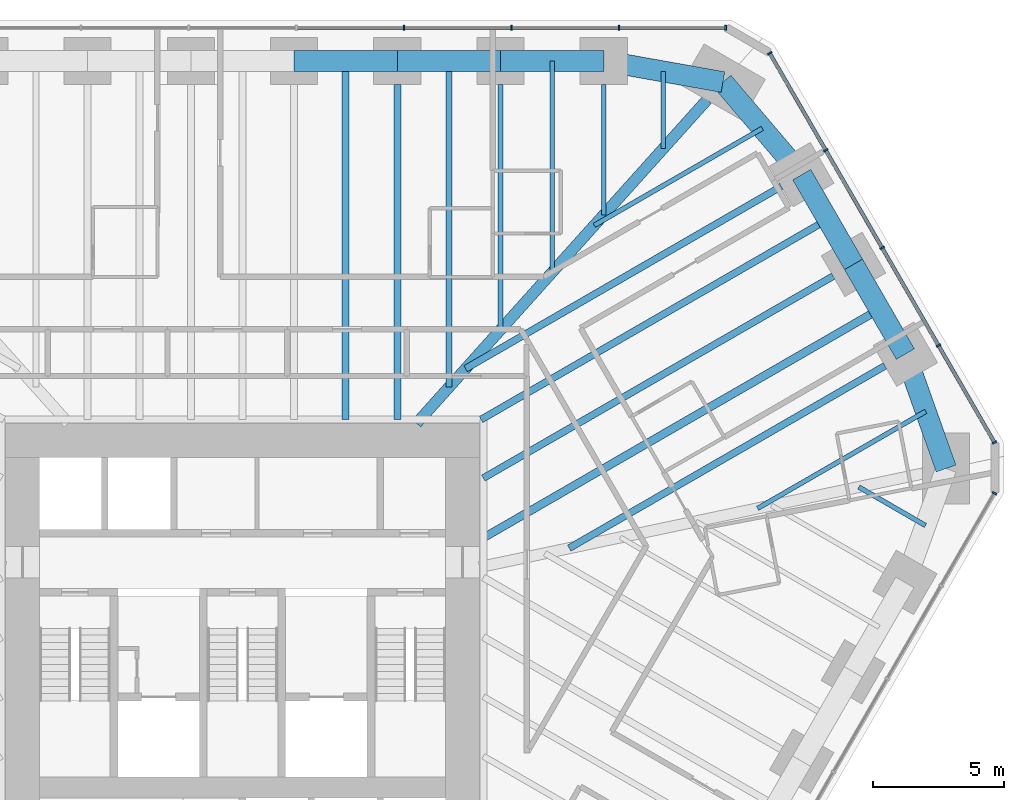
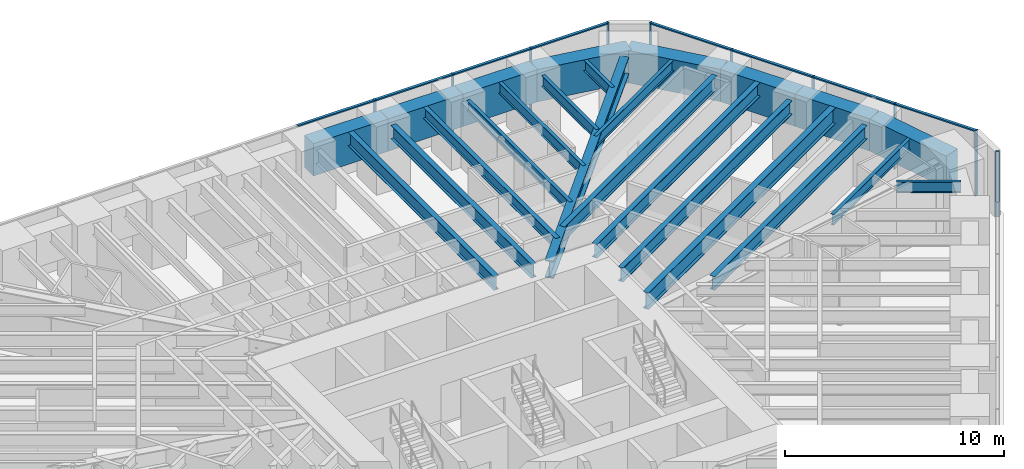
# One storey, part 9 of 17: 24 beams, 18 members, 3 elements without a shape of their own.
"""IFC4 building model written with IfcOpenShell, lengths in metres."""

from ifc_helpers import new_model, si_unit, direction, frame, origin, origin_2d, place, context, subcontext, project, spatial, rectangle, i_section, extrude, material, material_profile, profile_set, type_object, element, aggregate, save


model = new_model("IFC4")

# Units and contexts
model_context = context("Model", 3, precision=1e-05, world=origin(), true_north=direction((0.0, 1.0)))
body_context = subcontext(model_context, "Body", "Model", "MODEL_VIEW")
ifc_project = project(units=[si_unit("LENGTHUNIT", "METRE"), si_unit("AREAUNIT", "SQUARE_METRE"), si_unit("VOLUMEUNIT", "CUBIC_METRE"), si_unit("PLANEANGLEUNIT", "RADIAN"), si_unit("MASSUNIT", "GRAM", prefix="KILO")], contexts=[model_context])

# Site, building, storey
site_placement = place(None, origin())
site = spatial("IfcSite", under=ifc_project, at=site_placement, CompositionType="ELEMENT")
building_placement = place(site_placement, origin())
building = spatial("IfcBuilding", under=site, at=building_placement, Name="Sandreach Pilgrim Tower", CompositionType="ELEMENT")
storey_placement = place(building_placement, frame((0.0, 0.0, 138.60009765625)))
storey = spatial("IfcBuildingStorey", under=building, at=storey_placement, Name="L34", CompositionType="ELEMENT", Elevation=138.60009765625)

# Curtain wall, members
ifc_material_1 = material(Name="Aluminium framed curtain wall", Category="aluminium")
curtain_wall_type = type_object("IfcCurtainWallType", Name="Hotel tower curtain wall", PredefinedType="NOTDEFINED", material=ifc_material_1)
curtain_wall_1_placement = place(storey_placement, origin())
curtain_wall_1 = element("IfcCurtainWall", 1, at=curtain_wall_1_placement, inside=storey, type_object=curtain_wall_type, Name="CW-2 L34 N", PredefinedType="NOTDEFINED")
ifc_material_2 = material(Name="Aluminium extrusion", Category="aluminium")
ifc_material_profile_1 = material_profile(ifc_material_2, rectangle(XDim=0.06494140625, YDim=0.179931640625, at=origin_2d()), Name="CW-2M 65X180")
ifc_profile_set_1 = profile_set([ifc_material_profile_1], Name="Aluminium extrusion")
member_type_1 = type_object("IfcMemberType", Name="CW-2 mullion", PredefinedType="MULLION", material=ifc_profile_set_1)
member_1_placement = place(storey_placement, frame((6.160400390625, 22.493896484375, 0.0), z_axis=(0.0, 0.0, 1.0), x_axis=(1.0, 0.0, 0.0)))
member_1 = element("IfcMember", 2, at=member_1_placement, type_object=member_type_1, Name="CW-2 mullion 7", PredefinedType="MULLION", context=body_context, shape_type="SweptSolid", body=[
    extrude(rectangle(XDim=0.06494140625, YDim=0.179931640625, at=origin_2d()), origin(), (0.0, 0.0, 1.0), 3.639892578125),
])
member_2_placement = place(storey_placement, frame((10.267333984375, 22.493896484375, 0.0), z_axis=(0.0, 0.0, 1.0), x_axis=(1.0, 0.0, 0.0)))
member_2 = element("IfcMember", 3, at=member_2_placement, type_object=member_type_1, Name="CW-2 mullion 8", PredefinedType="MULLION", context=body_context, shape_type="SweptSolid", body=[
    extrude(rectangle(XDim=0.06494140625, YDim=0.179931640625, at=origin_2d()), origin(), (0.0, 0.0, 1.0), 3.639892578125),
])
member_3_placement = place(storey_placement, frame((14.37451171875, 22.493896484375, 0.0), z_axis=(0.0, 0.0, 1.0), x_axis=(1.0, 0.0, 0.0)))
member_3 = element("IfcMember", 4, at=member_3_placement, type_object=member_type_1, Name="CW-2 mullion 9", PredefinedType="MULLION", context=body_context, shape_type="SweptSolid", body=[
    extrude(rectangle(XDim=0.06494140625, YDim=0.179931640625, at=origin_2d()), origin(), (0.0, 0.0, 1.0), 3.639892578125),
])
member_4_placement = place(storey_placement, frame((18.448974609375, 22.493896484375, 0.0), z_axis=(0.0, 0.0, 1.0), x_axis=(1.0, 0.0, 0.0)))
member_4 = element("IfcMember", 5, at=member_4_placement, type_object=member_type_1, Name="CW-2 mullion 10", PredefinedType="MULLION", context=body_context, shape_type="SweptSolid", body=[
    extrude(rectangle(XDim=0.06494140625, YDim=0.179931640625, at=origin_2d()), origin(), (0.0, 0.0, 1.0), 3.639892578125),
])

curtain_wall_2_placement = place(storey_placement, origin())
curtain_wall_2 = element("IfcCurtainWall", 6, at=curtain_wall_2_placement, inside=storey, type_object=curtain_wall_type, Name="CW-2 L34 NE", PredefinedType="NOTDEFINED")
member_5_placement = place(storey_placement, frame((20.125732421875, 21.525634765625, 0.0), z_axis=(0.0, 0.0, 1.0), x_axis=(0.5, -0.866025403784, 0.0)))
member_5 = element("IfcMember", 7, at=member_5_placement, type_object=member_type_1, Name="CW-2 mullion 1", PredefinedType="MULLION", context=body_context, shape_type="SweptSolid", body=[
    extrude(rectangle(XDim=0.06494140625, YDim=0.179931640625, at=origin_2d()), origin(), (0.0, 0.0, 1.0), 3.639892578125),
])
member_6_placement = place(storey_placement, frame((22.262451171875, 17.824951171875, 0.0), z_axis=(0.0, 0.0, 1.0), x_axis=(0.5, -0.866025403784, 0.0)))
member_6 = element("IfcMember", 8, at=member_6_placement, type_object=member_type_1, Name="CW-2 mullion 2", PredefinedType="MULLION", context=body_context, shape_type="SweptSolid", body=[
    extrude(rectangle(XDim=0.06494140625, YDim=0.179931640625, at=origin_2d()), origin(), (0.0, 0.0, 1.0), 3.639892578125),
])
member_7_placement = place(storey_placement, frame((24.415283203125, 14.09619140625, 0.0), z_axis=(0.0, 0.0, 1.0), x_axis=(0.5, -0.866025403784, 0.0)))
member_7 = element("IfcMember", 9, at=member_7_placement, type_object=member_type_1, Name="CW-2 mullion 3", PredefinedType="MULLION", context=body_context, shape_type="SweptSolid", body=[
    extrude(rectangle(XDim=0.06494140625, YDim=0.179931640625, at=origin_2d()), origin(), (0.0, 0.0, 1.0), 3.639892578125),
])
member_8_placement = place(storey_placement, frame((26.568115234375, 10.3671875, 0.0), z_axis=(0.0, 0.0, 1.0), x_axis=(0.5, -0.866025403784, 0.0)))
member_8 = element("IfcMember", 10, at=member_8_placement, type_object=member_type_1, Name="CW-2 mullion 4", PredefinedType="MULLION", context=body_context, shape_type="SweptSolid", body=[
    extrude(rectangle(XDim=0.06494140625, YDim=0.179931640625, at=origin_2d()), origin(), (0.0, 0.0, 1.0), 3.639892578125),
])
member_9_placement = place(storey_placement, frame((28.70458984375, 6.66650390625, 0.0), z_axis=(0.0, 0.0, 1.0), x_axis=(0.5, -0.866025403784, 0.0)))
member_9 = element("IfcMember", 11, at=member_9_placement, type_object=member_type_1, Name="CW-2 mullion 5", PredefinedType="MULLION", context=body_context, shape_type="SweptSolid", body=[
    extrude(rectangle(XDim=0.06494140625, YDim=0.179931640625, at=origin_2d()), origin(), (0.0, 0.0, 1.0), 3.639892578125),
])

# Curtain wall, member
curtain_wall_3_placement = place(storey_placement, origin())
curtain_wall_3 = element("IfcCurtainWall", 12, at=curtain_wall_3_placement, inside=storey, type_object=curtain_wall_type, Name="CW-2 L34 SE", PredefinedType="NOTDEFINED")
member_10_placement = place(storey_placement, frame((28.70458984375, 4.730224609375, 0.0), z_axis=(0.0, 0.0, 1.0), x_axis=(-0.5, -0.866025403784, 0.0)))
member_10 = element("IfcMember", 13, at=member_10_placement, type_object=member_type_1, Name="CW-2 mullion 1", PredefinedType="MULLION", context=body_context, shape_type="SweptSolid", body=[
    extrude(rectangle(XDim=0.06494140625, YDim=0.179931640625, at=origin_2d()), origin(), (0.0, 0.0, 1.0), 3.639892578125),
])
aggregate(curtain_wall_3, [member_10])

# Member
ifc_material_3 = material(Name="Aluminium extrusion", Category="aluminium")
ifc_material_profile_2 = material_profile(ifc_material_3, rectangle(XDim=0.139892578125, YDim=0.070068359375, at=origin_2d()), Name="CW-2T 140X70")
ifc_profile_set_2 = profile_set([ifc_material_profile_2], Name="Aluminium extrusion")
member_type_2 = type_object("IfcMemberType", Name="CW-2 transom", PredefinedType="USERDEFINED", material=ifc_profile_set_2)
member_11_placement = place(storey_placement, frame((2.0859375, 22.493896484375, 3.60498046875), z_axis=(1.0, 0.0, 0.0), x_axis=(0.0, 1.0, 0.0)))
member_11 = element("IfcMember", 14, at=member_11_placement, type_object=member_type_2, Name="CW-2 head transom 6", ObjectType="TRANSOM", PredefinedType="USERDEFINED", context=body_context, shape_type="SweptSolid", body=[
    extrude(rectangle(XDim=0.139892578125, YDim=0.070068359375, at=origin_2d()), origin(), (0.0, 0.0, 1.0), 4.0419921875),
])

member_12_placement = place(storey_placement, frame((6.19287109375, 22.493896484375, 3.60498046875), z_axis=(1.0, 0.0, 0.0), x_axis=(0.0, 1.0, 0.0)))
member_12 = element("IfcMember", 15, at=member_12_placement, type_object=member_type_2, Name="CW-2 head transom 7", ObjectType="TRANSOM", PredefinedType="USERDEFINED", context=body_context, shape_type="SweptSolid", body=[
    extrude(rectangle(XDim=0.139892578125, YDim=0.070068359375, at=origin_2d()), origin(), (0.0, 0.0, 1.0), 4.0419921875),
])

member_13_placement = place(storey_placement, frame((10.300048828125, 22.493896484375, 3.60498046875), z_axis=(1.0, 0.0, 0.0), x_axis=(0.0, 1.0, 0.0)))
member_13 = element("IfcMember", 16, at=member_13_placement, type_object=member_type_2, Name="CW-2 head transom 8", ObjectType="TRANSOM", PredefinedType="USERDEFINED", context=body_context, shape_type="SweptSolid", body=[
    extrude(rectangle(XDim=0.139892578125, YDim=0.070068359375, at=origin_2d()), origin(), (0.0, 0.0, 1.0), 4.041748046875),
])

member_14_placement = place(storey_placement, frame((14.406982421875, 22.493896484375, 3.60498046875), z_axis=(1.0, 0.0, 0.0), x_axis=(0.0, 1.0, 0.0)))
member_14 = element("IfcMember", 17, at=member_14_placement, type_object=member_type_2, Name="CW-2 head transom 9", ObjectType="TRANSOM", PredefinedType="USERDEFINED", context=body_context, shape_type="SweptSolid", body=[
    extrude(rectangle(XDim=0.139892578125, YDim=0.070068359375, at=origin_2d()), origin(), (0.0, 0.0, 1.0), 4.00927734375),
])

aggregate(curtain_wall_1, [member_1, member_2, member_3, member_4, member_11, member_12, member_13, member_14])

member_15_placement = place(storey_placement, frame((20.14208984375, 21.49755859375, 3.60498046875), z_axis=(0.49997020258, -0.86604260665, 0.0), x_axis=(0.86604260665, 0.49997020258, 0.0)))
member_15 = element("IfcMember", 18, at=member_15_placement, type_object=member_type_2, Name="CW-2 head transom 1", ObjectType="TRANSOM", PredefinedType="USERDEFINED", context=body_context, shape_type="SweptSolid", body=[
    extrude(rectangle(XDim=0.139892578125, YDim=0.070068359375, at=origin_2d()), origin(), (0.0, 0.0, 1.0), 4.208251953125),
])

member_16_placement = place(storey_placement, frame((22.278564453125, 17.796875, 3.60498046875), z_axis=(0.499996541496, -0.866027400544, 0.0), x_axis=(0.866027400544, 0.499996541496, 0.0)))
member_16 = element("IfcMember", 19, at=member_16_placement, type_object=member_type_2, Name="CW-2 head transom 2", ObjectType="TRANSOM", PredefinedType="USERDEFINED", context=body_context, shape_type="SweptSolid", body=[
    extrude(rectangle(XDim=0.139892578125, YDim=0.070068359375, at=origin_2d()), origin(), (0.0, 0.0, 1.0), 4.24072265625),
])

member_17_placement = place(storey_placement, frame((24.431396484375, 14.06787109375, 3.60498046875), z_axis=(0.500021471012, -0.866013007135, 0.0), x_axis=(0.866013007135, 0.500021471012, 0.0)))
member_17 = element("IfcMember", 20, at=member_17_placement, type_object=member_type_2, Name="CW-2 head transom 3", ObjectType="TRANSOM", PredefinedType="USERDEFINED", context=body_context, shape_type="SweptSolid", body=[
    extrude(rectangle(XDim=0.139892578125, YDim=0.070068359375, at=origin_2d()), origin(), (0.0, 0.0, 1.0), 4.240478515625),
])

member_18_placement = place(storey_placement, frame((26.584228515625, 10.339111328125, 3.60498046875), z_axis=(0.500038835258, -0.866002981077, 0.0), x_axis=(0.866002981077, 0.500038835258, 0.0)))
member_18 = element("IfcMember", 21, at=member_18_placement, type_object=member_type_2, Name="CW-2 head transom 4", ObjectType="TRANSOM", PredefinedType="USERDEFINED", context=body_context, shape_type="SweptSolid", body=[
    extrude(rectangle(XDim=0.139892578125, YDim=0.070068359375, at=origin_2d()), origin(), (0.0, 0.0, 1.0), 4.208251953125),
])

aggregate(curtain_wall_2, [member_5, member_6, member_7, member_8, member_9, member_15, member_16, member_17, member_18])

# Beams
ifc_material_4 = material(Name="Steel ASTM A992 Grade 50", Category="steel")
ifc_material_profile_3 = material_profile(ifc_material_4, i_section(OverallWidth=0.424072265625, OverallDepth=0.965087890625, WebThickness=0.028564453125, FlangeThickness=0.051025390625, at=origin_2d()), Name="W36X361")
ifc_profile_set_3 = profile_set([ifc_material_profile_3], Name="Steel ASTM A992 Grade 50")
beam_type_1 = type_object("IfcBeamType", Name="Corner girder W36X361", PredefinedType="BEAM", material=ifc_profile_set_3)
beam_1_placement = place(storey_placement, frame((17.738037109375, 19.754150390625, 3.1572265625), z_axis=(-0.66811374471, -0.74405915365, 0.0), x_axis=(0.74405915365, -0.66811374471, 0.0)))
element("IfcBeam", 22, at=beam_1_placement, inside=storey, type_object=beam_type_1, Name="BM L34 CG09", PredefinedType="BEAM", context=body_context, shape_type="SweptSolid", body=[
    extrude(i_section(OverallWidth=0.424072265625, OverallDepth=0.965087890625, WebThickness=0.028564453125, FlangeThickness=0.051025390625, at=origin_2d()), origin(), (0.0, 0.0, 1.0), 16.603759765625),
])
ifc_material_5 = material(Name="Steel ASTM A992 Grade 50", Category="steel")
ifc_material_profile_4 = material_profile(ifc_material_5, i_section(OverallWidth=0.1787109375, OverallDepth=0.60205078125, WebThickness=0.010986328125, FlangeThickness=0.014892578125, at=origin_2d()), Name="W24X62")
ifc_profile_set_4 = profile_set([ifc_material_profile_4], Name="Steel ASTM A992 Grade 50")
beam_type_2 = type_object("IfcBeamType", Name="Floor beam W24X62", PredefinedType="BEAM", material=ifc_profile_set_4)
beam_2_placement = place(storey_placement, frame((9.849853515625, 20.333740234375, 3.3388671875), z_axis=(0.0, -1.0, 0.0), x_axis=(1.0, 0.0, 0.0)))
element("IfcBeam", 23, at=beam_2_placement, inside=storey, type_object=beam_type_2, Name="BM L34 F07", PredefinedType="BEAM", context=body_context, shape_type="SweptSolid", body=[
    extrude(i_section(OverallWidth=0.1787109375, OverallDepth=0.60205078125, WebThickness=0.010986328125, FlangeThickness=0.014892578125, at=origin_2d()), origin(), (0.0, 0.0, 1.0), 9.3642578125),
])
beam_3_placement = place(storey_placement, frame((13.789794921875, 20.333740234375, 3.3388671875), z_axis=(0.0, -1.0, 0.0), x_axis=(1.0, 0.0, 0.0)))
element("IfcBeam", 24, at=beam_3_placement, inside=storey, type_object=beam_type_2, Name="BM L34 F08", PredefinedType="BEAM", context=body_context, shape_type="SweptSolid", body=[
    extrude(i_section(OverallWidth=0.1787109375, OverallDepth=0.60205078125, WebThickness=0.010986328125, FlangeThickness=0.014892578125, at=origin_2d()), origin(), (0.0, 0.0, 1.0), 4.9765625),
])
beam_4_placement = place(storey_placement, frame((11.81982421875, 21.23388671875, 3.3388671875), z_axis=(0.0, -1.0, 0.0), x_axis=(1.0, 0.0, 0.0)))
element("IfcBeam", 25, at=beam_4_placement, inside=storey, type_object=beam_type_2, Name="BM L34 FM07", PredefinedType="BEAM", context=body_context, shape_type="SweptSolid", body=[
    extrude(i_section(OverallWidth=0.1787109375, OverallDepth=0.60205078125, WebThickness=0.010986328125, FlangeThickness=0.014892578125, at=origin_2d()), origin(), (0.0, 0.0, 1.0), 8.070556640625),
])
beam_5_placement = place(storey_placement, frame((16.064697265625, 20.828857421875, 3.3388671875), z_axis=(0.0, -1.0, 0.0), x_axis=(1.0, 0.0, 0.0)))
element("IfcBeam", 26, at=beam_5_placement, inside=storey, type_object=beam_type_2, Name="BM L34 FM08", PredefinedType="BEAM", context=body_context, shape_type="SweptSolid", body=[
    extrude(i_section(OverallWidth=0.1787109375, OverallDepth=0.60205078125, WebThickness=0.010986328125, FlangeThickness=0.014892578125, at=origin_2d()), origin(), (0.0, 0.0, 1.0), 2.938232421875),
])
for number, where, z_axis, x_axis, name in (
    (27, (19.8427734375, 18.65771484375, 3.3388671875), (-0.866025875064, -0.499999183719, 0.0), (0.499999183719, -0.866025875064, 0.0), "BM L34 FM09"),
    (28, (26.079345703125, 7.855712890625, 3.3388671875), (-0.866025875064, -0.499999183719, 0.0), (0.499999183719, -0.866025875064, 0.0), "BM L34 FM12"),
):
    element("IfcBeam", number, at=place(storey_placement, frame(where, z_axis=z_axis, x_axis=x_axis)), inside=storey, type_object=beam_type_2, Name=name, PredefinedType="BEAM", context=body_context, shape_type="SweptSolid", body=[
        extrude(i_section(OverallWidth=0.1787109375, OverallDepth=0.60205078125, WebThickness=0.010986328125, FlangeThickness=0.014892578125, at=origin_2d()), origin(), (0.0, 0.0, 1.0), 7.40771484375),
    ])
beam_6_placement = place(storey_placement, frame((26.070556640625, 3.498046875, 3.3388671875), z_axis=(-0.866051374412, 0.499955014855, 0.0), x_axis=(-0.499955014855, -0.866051374412, 0.0)))
element("IfcBeam", 29, at=beam_6_placement, inside=storey, type_object=beam_type_2, Name="BM L34 FM13", PredefinedType="BEAM", context=body_context, shape_type="SweptSolid", body=[
    extrude(i_section(OverallWidth=0.1787109375, OverallDepth=0.60205078125, WebThickness=0.010986328125, FlangeThickness=0.014892578125, at=origin_2d()), origin(), (0.0, 0.0, 1.0), 2.938232421875),
])
ifc_material_6 = material(Name="Steel ASTM A992 Grade 50", Category="steel")
ifc_material_profile_5 = material_profile(ifc_material_6, i_section(OverallWidth=0.23046875, OverallDepth=0.6171875, WebThickness=0.01318359375, FlangeThickness=0.022216796875, at=origin_2d()), Name="W24X94")
ifc_profile_set_5 = profile_set([ifc_material_profile_5], Name="Steel ASTM A992 Grade 50")
beam_type_3 = type_object("IfcBeamType", Name="Floor beam W24X94", PredefinedType="BEAM", material=ifc_profile_set_5)
beam_7_placement = place(storey_placement, frame((7.8798828125, 21.23388671875, 3.331298828125), z_axis=(0.0, -1.0, 0.0), x_axis=(1.0, 0.0, 0.0)))
element("IfcBeam", 30, at=beam_7_placement, inside=storey, type_object=beam_type_3, Name="BM L34 FM06", PredefinedType="BEAM", context=body_context, shape_type="SweptSolid", body=[
    extrude(i_section(OverallWidth=0.23046875, OverallDepth=0.6171875, WebThickness=0.01318359375, FlangeThickness=0.022216796875, at=origin_2d()), origin(), (0.0, 0.0, 1.0), 12.458251953125),
])
ifc_material_7 = material(Name="Steel ASTM A992 Grade 50", Category="steel")
ifc_material_profile_6 = material_profile(ifc_material_7, i_section(OverallWidth=0.2666015625, OverallDepth=0.761962890625, WebThickness=0.014404296875, FlangeThickness=0.021484375, at=origin_2d()), Name="W30X116")
ifc_profile_set_6 = profile_set([ifc_material_profile_6], Name="Steel ASTM A992 Grade 50")
beam_type_4 = type_object("IfcBeamType", Name="Floor beam W30X116", PredefinedType="BEAM", material=ifc_profile_set_6)
beam_8_placement = place(storey_placement, frame((5.909912109375, 20.333740234375, 3.2587890625), z_axis=(0.0, -1.0, 0.0), x_axis=(1.0, 0.0, 0.0)))
element("IfcBeam", 31, at=beam_8_placement, inside=storey, type_object=beam_type_4, Name="BM L34 F06", PredefinedType="BEAM", context=body_context, shape_type="SweptSolid", body=[
    extrude(i_section(OverallWidth=0.2666015625, OverallDepth=0.761962890625, WebThickness=0.014404296875, FlangeThickness=0.021484375, at=origin_2d()), origin(), (0.0, 0.0, 1.0), 12.790283203125),
])
beam_9_placement = place(storey_placement, frame((20.56689453125, 16.44140625, 3.2587890625), z_axis=(-0.866022263426, -0.500005439221, 0.0), x_axis=(0.500005439221, -0.866022263426, 0.0)))
element("IfcBeam", 32, at=beam_9_placement, inside=storey, type_object=beam_type_4, Name="BM L34 F10", PredefinedType="BEAM", context=body_context, shape_type="SweptSolid", body=[
    extrude(i_section(OverallWidth=0.2666015625, OverallDepth=0.761962890625, WebThickness=0.014404296875, FlangeThickness=0.021484375, at=origin_2d()), origin(), (0.0, 0.0, 1.0), 13.915283203125),
])
beam_10_placement = place(storey_placement, frame((24.522216796875, 9.5908203125, 3.2587890625), z_axis=(-0.866026649588, -0.499997842199, 0.0), x_axis=(0.499997842199, -0.866026649588, 0.0)))
element("IfcBeam", 33, at=beam_10_placement, inside=storey, type_object=beam_type_4, Name="BM L34 F12", PredefinedType="BEAM", context=body_context, shape_type="SweptSolid", body=[
    extrude(i_section(OverallWidth=0.2666015625, OverallDepth=0.761962890625, WebThickness=0.014404296875, FlangeThickness=0.021484375, at=origin_2d()), origin(), (0.0, 0.0, 1.0), 13.91552734375),
])
beam_11_placement = place(storey_placement, frame((3.93994140625, 21.23388671875, 3.2587890625), z_axis=(0.0, -1.0, 0.0), x_axis=(1.0, 0.0, 0.0)))
element("IfcBeam", 34, at=beam_11_placement, inside=storey, type_object=beam_type_4, Name="BM L34 FM05", PredefinedType="BEAM", context=body_context, shape_type="SweptSolid", body=[
    extrude(i_section(OverallWidth=0.2666015625, OverallDepth=0.761962890625, WebThickness=0.014404296875, FlangeThickness=0.021484375, at=origin_2d()), origin(), (0.0, 0.0, 1.0), 13.6904296875),
])
ifc_material_8 = material(Name="Steel ASTM A992 Grade 50", Category="steel")
ifc_material_profile_7 = material_profile(ifc_material_8, i_section(OverallWidth=0.2666015625, OverallDepth=0.77978515625, WebThickness=0.0166015625, FlangeThickness=0.030029296875, at=origin_2d()), Name="W30X148")
ifc_profile_set_7 = profile_set([ifc_material_profile_7], Name="Steel ASTM A992 Grade 50")
beam_type_5 = type_object("IfcBeamType", Name="Floor beam W30X148", PredefinedType="BEAM", material=ifc_profile_set_7)
beam_12_placement = place(storey_placement, frame((22.544677734375, 13.01611328125, 3.25), z_axis=(-0.866029203842, -0.49999341805, 0.0), x_axis=(0.49999341805, -0.866029203842, 0.0)))
element("IfcBeam", 35, at=beam_12_placement, inside=storey, type_object=beam_type_5, Name="BM L34 F11", PredefinedType="BEAM", context=body_context, shape_type="SweptSolid", body=[
    extrude(i_section(OverallWidth=0.2666015625, OverallDepth=0.77978515625, WebThickness=0.0166015625, FlangeThickness=0.030029296875, at=origin_2d()), origin(), (0.0, 0.0, 1.0), 15.416748046875),
])
beam_13_placement = place(storey_placement, frame((22.335205078125, 15.1787109375, 3.25), z_axis=(-0.866028773314, -0.499994163758, 0.0), x_axis=(0.499994163758, -0.866028773314, 0.0)))
element("IfcBeam", 36, at=beam_13_placement, inside=storey, type_object=beam_type_5, Name="BM L34 FM10", PredefinedType="BEAM", context=body_context, shape_type="SweptSolid", body=[
    extrude(i_section(OverallWidth=0.2666015625, OverallDepth=0.77978515625, WebThickness=0.0166015625, FlangeThickness=0.030029296875, at=origin_2d()), origin(), (0.0, 0.0, 1.0), 15.270751953125),
])
ifc_material_9 = material(Name="Steel ASTM A992 Grade 50", Category="steel")
ifc_material_profile_8 = material_profile(ifc_material_9, i_section(OverallWidth=0.3046875, OverallDepth=0.914306640625, WebThickness=0.0166015625, FlangeThickness=0.02587890625, at=origin_2d()), Name="W36X160")
ifc_profile_set_8 = profile_set([ifc_material_profile_8], Name="Steel ASTM A992 Grade 50")
beam_type_6 = type_object("IfcBeamType", Name="Floor beam W36X160", PredefinedType="BEAM", material=ifc_profile_set_8)
beam_14_placement = place(storey_placement, frame((24.312744140625, 11.75341796875, 3.1826171875), z_axis=(-0.866023737483, -0.500002886107, 0.0), x_axis=(0.500002886107, -0.866023737483, 0.0)))
element("IfcBeam", 37, at=beam_14_placement, inside=storey, type_object=beam_type_6, Name="BM L34 FM11", PredefinedType="BEAM", context=body_context, shape_type="SweptSolid", body=[
    extrude(i_section(OverallWidth=0.3046875, OverallDepth=0.914306640625, WebThickness=0.0166015625, FlangeThickness=0.02587890625, at=origin_2d()), origin(), (0.0, 0.0, 1.0), 17.45849609375),
])
ifc_material_10 = material(Name="Concrete 10000 psi", Category="concrete")
ifc_material_profile_9 = material_profile(ifc_material_10, rectangle(XDim=0.800048828125, YDim=1.800048828125, at=origin_2d()), Name="RC800X1800")
ifc_profile_set_9 = profile_set([ifc_material_profile_9], Name="Concrete 10000 psi")
beam_type_7 = type_object("IfcBeamType", Name="Spandrel beam RC800X1800", PredefinedType="SPANDREL", material=ifc_profile_set_9)
for number, where, z_axis, x_axis, name in (
    (38, (1.969970703125, 21.23388671875, 2.739990234375), (1.0, 0.0, 0.0), (0.0, 1.0, 0.0), "BM L34 SP05"),
    (39, (5.909912109375, 21.23388671875, 2.739990234375), (1.0, 0.0, 0.0), (0.0, 1.0, 0.0), "BM L34 SP06"),
    (40, (9.849853515625, 21.23388671875, 2.739990234375), (1.0, 0.0, 0.0), (0.0, 1.0, 0.0), "BM L34 SP07"),
):
    element("IfcBeam", number, at=place(storey_placement, frame(where, z_axis=z_axis, x_axis=x_axis)), inside=storey, type_object=beam_type_7, Name=name, PredefinedType="SPANDREL", context=body_context, shape_type="SweptSolid", body=[
        extrude(rectangle(XDim=0.800048828125, YDim=1.800048828125, at=origin_2d()), origin(), (0.0, 0.0, 1.0), 3.93994140625),
    ])
beam_15_placement = place(storey_placement, frame((13.789794921875, 21.23388671875, 2.739990234375), z_axis=(0.984515938739, -0.175295083699, 0.0), x_axis=(0.175295083699, 0.984515938739, 0.0)))
element("IfcBeam", 41, at=beam_15_placement, inside=storey, type_object=beam_type_7, Name="BM L34 SP08", PredefinedType="SPANDREL", context=body_context, shape_type="SweptSolid", body=[
    extrude(rectangle(XDim=0.800048828125, YDim=1.800048828125, at=origin_2d()), origin(), (0.0, 0.0, 1.0), 4.62109375),
])
beam_16_placement = place(storey_placement, frame((18.33935546875, 20.423828125, 2.739990234375), z_axis=(0.648208888384, -0.761462564425, 0.0), x_axis=(0.761462564425, 0.648208888384, 0.0)))
element("IfcBeam", 42, at=beam_16_placement, inside=storey, type_object=beam_type_7, Name="BM L34 SP09", PredefinedType="SPANDREL", context=body_context, shape_type="SweptSolid", body=[
    extrude(rectangle(XDim=0.800048828125, YDim=1.800048828125, at=origin_2d()), origin(), (0.0, 0.0, 1.0), 4.63916015625),
])
for number, where, z_axis, x_axis, name in (
    (43, (21.346435546875, 16.891357421875, 2.739990234375), (0.499989616998, -0.866031398331, 0.0), (0.866031398331, 0.499989616998, 0.0), "BM L34 SP10"),
    (44, (23.323974609375, 13.466064453125, 2.739990234375), (0.499989616998, -0.866031398331, 0.0), (0.866031398331, 0.499989616998, 0.0), "BM L34 SP11"),
):
    element("IfcBeam", number, at=place(storey_placement, frame(where, z_axis=z_axis, x_axis=x_axis)), inside=storey, type_object=beam_type_7, Name=name, PredefinedType="SPANDREL", context=body_context, shape_type="SweptSolid", body=[
        extrude(rectangle(XDim=0.800048828125, YDim=1.800048828125, at=origin_2d()), origin(), (0.0, 0.0, 1.0), 3.955078125),
    ])
beam_17_placement = place(storey_placement, frame((25.301513671875, 10.040771484375, 2.739990234375), z_axis=(0.335346041399, -0.942095023083, 0.0), x_axis=(0.942095023083, 0.335346041399, 0.0)))
element("IfcBeam", 45, at=beam_17_placement, inside=storey, type_object=beam_type_7, Name="BM L34 SP12", PredefinedType="SPANDREL", context=body_context, shape_type="SweptSolid", body=[
    extrude(rectangle(XDim=0.800048828125, YDim=1.800048828125, at=origin_2d()), origin(), (0.0, 0.0, 1.0), 4.638916015625),
])

save(model, "model.ifc")
